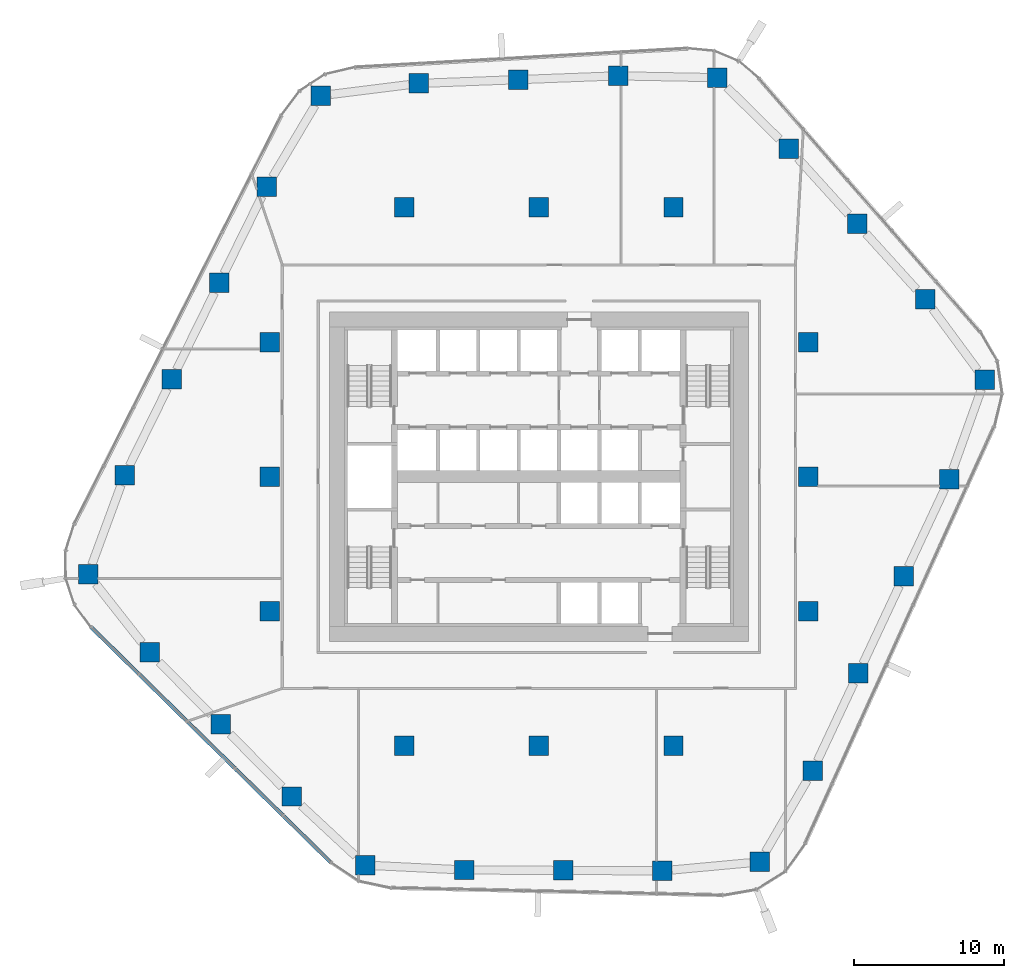
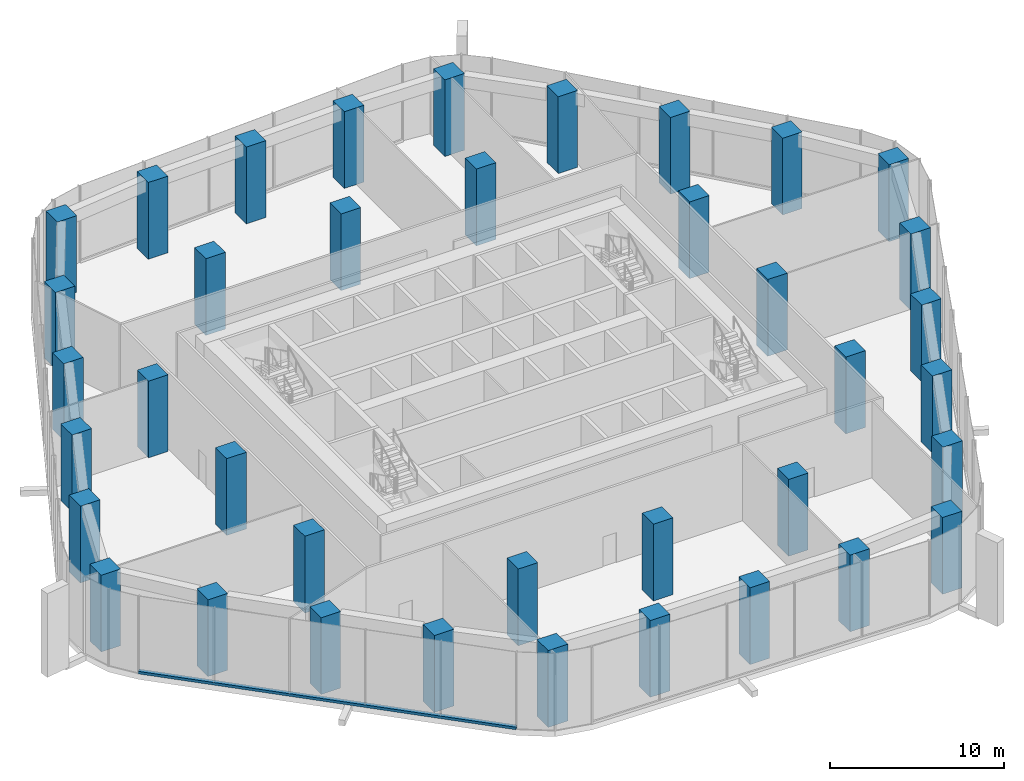
# One storey, part 1 of 18: 38 columns, 1 member, 1 element without a shape of its own.
"""IFC4 building model written with IfcOpenShell, lengths in metres."""

from ifc_helpers import new_model, si_unit, direction, frame, origin, origin_2d, place, context, subcontext, project, spatial, rectangle, extrude, material, layer, layer_set, material_profile, profile_set, type_object, element, aggregate, save


model = new_model("IFC4")

# Units and contexts
model_context = context("Model", 3, precision=1e-05, world=origin(), true_north=direction((0.0, 1.0)))
body_context = subcontext(model_context, "Body", "Model", "MODEL_VIEW")
ifc_project = project(units=[si_unit("LENGTHUNIT", "METRE"), si_unit("AREAUNIT", "SQUARE_METRE"), si_unit("VOLUMEUNIT", "CUBIC_METRE"), si_unit("PLANEANGLEUNIT", "RADIAN"), si_unit("MASSUNIT", "GRAM", prefix="KILO")], contexts=[model_context])

# Site, building, storey
site_placement = place(None, origin())
site = spatial("IfcSite", under=ifc_project, at=site_placement, CompositionType="ELEMENT")
building_placement = place(site_placement, origin())
building = spatial("IfcBuilding", under=site, at=building_placement, Name="Dongbaek Canopy Tower", CompositionType="ELEMENT")
storey_placement = place(building_placement, frame((0.0, 0.0, 139.60009765625)))
storey = spatial("IfcBuildingStorey", under=building, at=storey_placement, Name="L31", CompositionType="ELEMENT", Elevation=139.60009765625)

# Columns
ifc_material_1 = material(Name="Concrete C80", Category="concrete")
ifc_material_profile_1 = material_profile(ifc_material_1, rectangle(XDim=1.300048828125, YDim=1.300048828125, at=origin_2d()), Name="RC COLUMN 1300x1300 C80")
ifc_profile_set_1 = profile_set([ifc_material_profile_1], Name="Concrete C80")
column_type = type_object("IfcColumnType", Name="RC COLUMN 1300x1300 C80", PredefinedType="COLUMN", material=ifc_profile_set_1)
for number, where, z_axis, x_axis, name in (
    (1, (14.760009765625, -25.7490234375, 0.0), (0.0, 0.0, 1.0), (1.0, 0.0, 0.0), "COL:CZ2-01:L31"),
    (2, (8.258056640625, -26.34912109375, 0.0), (0.0, 0.0, 1.0), (1.0, 0.0, 0.0), "COL:CZ2-02:L31"),
    (3, (1.62890625, -26.319091796875, 0.0), (0.0, 0.0, 1.0), (1.0, 0.0, 0.0), "COL:CZ2-03:L31"),
    (4, (-5.0, -26.2900390625, 0.0), (0.0, 0.0, 1.0), (1.0, 0.0, 0.0), "COL:CZ2-04:L31"),
    (5, (-11.59912109375, -25.966064453125, 0.0), (0.0, 0.0, 1.0), (1.0, 0.0, 0.0), "COL:CZ2-05:L31"),
    (6, (-16.532958984375, -21.376953125, 0.0), (0.0, 0.0, 1.0), (1.0, 0.0, 0.0), "COL:CZ2-06:L31"),
    (7, (-21.277099609375, -16.56005859375, 0.0), (0.0, 0.0, 1.0), (1.0, 0.0, 0.0), "COL:CZ2-07:L31"),
    (8, (-26.02099609375, -11.742919921875, 0.0), (0.0, 0.0, 1.0), (1.0, 0.0, 0.0), "COL:CZ2-08:L31"),
    (9, (-30.125, -6.527099609375, 0.0), (0.0, 0.0, 1.0), (1.0, 0.0, 0.0), "COL:CZ2-09:L31"),
    (10, (-27.693115234375, 0.0830078125, 0.0), (0.0, 0.0, 1.0), (1.0, 0.0, 0.0), "COL:CZ2-10:L31"),
    (11, (-24.529052734375, 6.51806640625, 0.0), (0.0, 0.0, 1.0), (1.0, 0.0, 0.0), "COL:CZ2-11:L31"),
    (12, (-21.364013671875, 12.951904296875, 0.0), (0.0, 0.0, 1.0), (1.0, 0.0, 0.0), "COL:CZ2-12:L31"),
    (13, (-18.198974609375, 19.385986328125, 0.0), (0.0, 0.0, 1.0), (1.0, 0.0, 0.0), "COL:CZ2-13:L31"),
    (14, (-14.575927734375, 25.471923828125, 0.0), (0.0, 0.0, 1.0), (1.0, 0.0, 0.0), "COL:CZ2-14:L31"),
    (15, (-8.041015625, 26.2880859375, 0.0), (0.0, 0.0, 1.0), (1.0, 0.0, 0.0), "COL:CZ2-15:L31"),
    (16, (-1.3720703125, 26.5439453125, 0.0), (0.0, 0.0, 1.0), (1.0, 0.0, 0.0), "COL:CZ2-16:L31"),
    (17, (5.294921875, 26.798095703125, 0.0), (0.0, 0.0, 1.0), (1.0, 0.0, 0.0), "COL:CZ2-17:L31"),
    (18, (11.9169921875, 26.674072265625, 0.0), (0.0, 0.0, 1.0), (1.0, 0.0, 0.0), "COL:CZ2-18:L31"),
    (19, (16.718017578125, 21.93505859375, 0.0), (0.0, 0.0, 1.0), (1.0, 0.0, 0.0), "COL:CZ2-19:L31"),
    (20, (21.280029296875, 16.89794921875, 0.0), (0.0, 0.0, 1.0), (1.0, 0.0, 0.0), "COL:CZ2-20:L31"),
    (21, (25.841064453125, 11.862060546875, 0.0), (0.0, 0.0, 1.0), (1.0, 0.0, 0.0), "COL:CZ2-21:L31"),
    (22, (29.81103515625, 6.48193359375, 0.0), (0.0, 0.0, 1.0), (1.0, 0.0, 0.0), "COL:CZ2-22:L31"),
    (23, (27.43603515625, -0.1650390625, 0.0), (0.0, 0.0, 1.0), (1.0, 0.0, 0.0), "COL:CZ2-23:L31"),
    (24, (24.39599609375, -6.656982421875, 0.0), (0.0, 0.0, 1.0), (1.0, 0.0, 0.0), "COL:CZ2-24:L31"),
    (25, (21.35595703125, -13.14990234375, 0.0), (0.0, 0.0, 1.0), (1.0, 0.0, 0.0), "COL:CZ2-25:L31"),
    (26, (18.31494140625, -19.64208984375, 0.0), (0.0, 0.0, 1.0), (1.0, 0.0, 0.0), "COL:CZ2-26:L31"),
    (27, (-18.0, -9.0, 0.0), (0.0, 0.0, 1.0), (1.0, 0.0, 0.0), "COL:CIZ2-01:L31"),
    (28, (-18.0, 0.0, 0.0), (0.0, 0.0, 1.0), (1.0, 0.0, 0.0), "COL:CIZ2-02:L31"),
    (29, (-18.0, 9.0, 0.0), (0.0, 0.0, 1.0), (1.0, 0.0, 0.0), "COL:CIZ2-03:L31"),
    (30, (-9.0, -18.0, 0.0), (0.0, 0.0, 1.0), (1.0, 0.0, 0.0), "COL:CIZ2-04:L31"),
    (31, (-9.0, 18.0, 0.0), (0.0, 0.0, 1.0), (1.0, 0.0, 0.0), "COL:CIZ2-05:L31"),
    (32, (0.0, -18.0, 0.0), (0.0, 0.0, 1.0), (1.0, 0.0, 0.0), "COL:CIZ2-06:L31"),
    (33, (0.0, 18.0, 0.0), (0.0, 0.0, 1.0), (1.0, 0.0, 0.0), "COL:CIZ2-07:L31"),
    (34, (9.0, -18.0, 0.0), (0.0, 0.0, 1.0), (1.0, 0.0, 0.0), "COL:CIZ2-08:L31"),
    (35, (9.0, 18.0, 0.0), (0.0, 0.0, 1.0), (1.0, 0.0, 0.0), "COL:CIZ2-09:L31"),
    (36, (18.0, -9.0, 0.0), (0.0, 0.0, 1.0), (1.0, 0.0, 0.0), "COL:CIZ2-10:L31"),
    (37, (18.0, 0.0, 0.0), (0.0, 0.0, 1.0), (1.0, 0.0, 0.0), "COL:CIZ2-11:L31"),
    (38, (18.0, 9.0, 0.0), (0.0, 0.0, 1.0), (1.0, 0.0, 0.0), "COL:CIZ2-12:L31"),
):
    element("IfcColumn", number, at=place(storey_placement, frame(where, z_axis=z_axis, x_axis=x_axis)), inside=storey, type_object=column_type, Name=name, PredefinedType="COLUMN", context=body_context, shape_type="SweptSolid", body=[
        extrude(rectangle(XDim=1.300048828125, YDim=1.300048828125, at=origin_2d()), origin(), (0.0, 0.0, 1.0), 5.39990234375),
    ])

# Curtain wall, member
ifc_material_2 = material(Name="Aluminium 6063-T6 pale anodised", Category="aluminium")
ifc_layer = layer(ifc_material_2, 0.25)
ifc_layer_set = layer_set([ifc_layer], Name="CW-4 sky-lobby curtain wall")
curtain_wall_type = type_object("IfcCurtainWallType", Name="CW-4 sky-lobby curtain wall", PredefinedType="NOTDEFINED", material=ifc_layer_set)
curtain_wall_placement = place(storey_placement, origin())
curtain_wall = element("IfcCurtainWall", 39, at=curtain_wall_placement, inside=storey, type_object=curtain_wall_type, Name="CW-4 curtain wall F3.1", PredefinedType="NOTDEFINED")
ifc_material_3 = material(Name="Aluminium 6063-T6 pale anodised", Category="aluminium")
ifc_material_profile_2 = material_profile(ifc_material_3, rectangle(XDim=0.25, YDim=0.179931640625, at=origin_2d()), Name="CW-4 transom 180 x 250")
ifc_profile_set_2 = profile_set([ifc_material_profile_2], Name="Aluminium 6063-T6 pale anodised")
member_type = type_object("IfcMemberType", Name="CW-4 transom 180 x 250", PredefinedType="USERDEFINED", material=ifc_profile_set_2)
member_placement = place(storey_placement, frame((-29.93408203125, -10.055419921875, 0.08984375), z_axis=(0.713604843744, -0.700548447279, 0.0), x_axis=(0.700548447279, 0.713604843744, 0.0)))
member = element("IfcMember", 40, at=member_placement, type_object=member_type, Name="CW-4 transom F3.1.1", ObjectType="TRANSOM", PredefinedType="USERDEFINED", context=body_context, shape_type="SweptSolid", body=[
    extrude(rectangle(XDim=0.25, YDim=0.179931640625, at=origin_2d()), origin(), (0.0, 0.0, 1.0), 22.47607421875),
])
aggregate(curtain_wall, [member])

save(model, "model.ifc")
